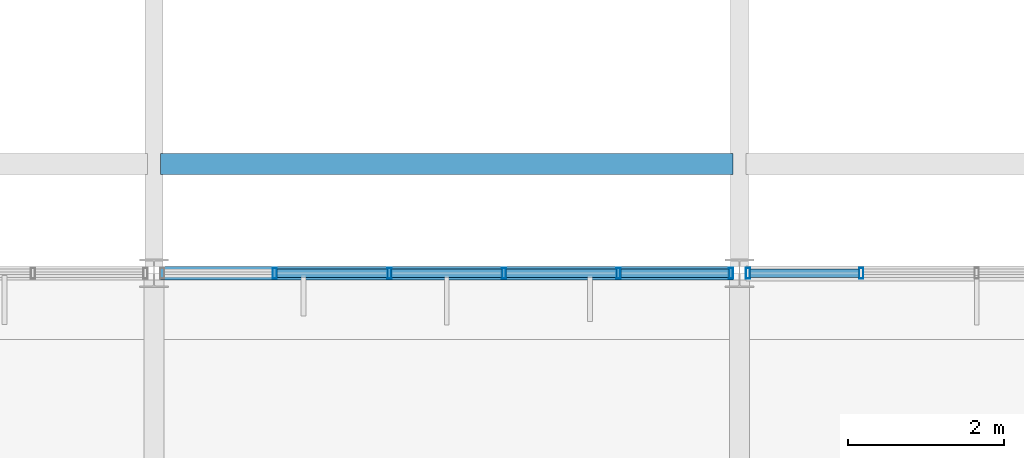
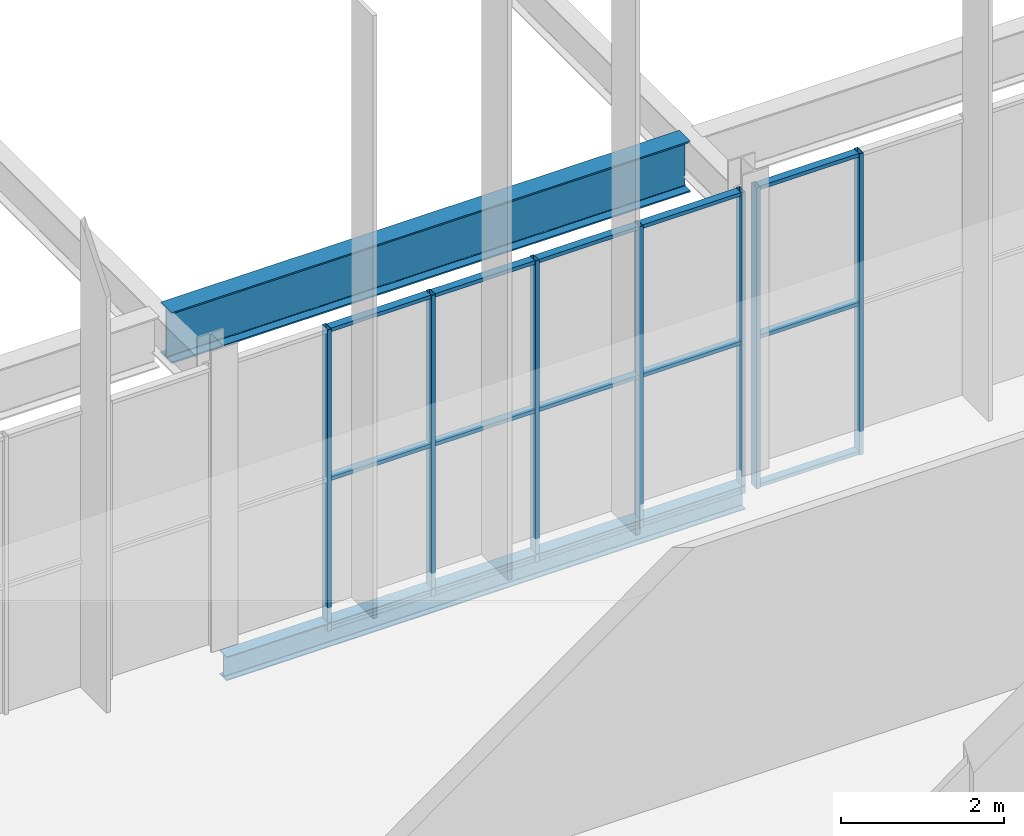
# One storey, part 182 of 324: 22 members, 2 beams, 2 elements without a shape of their own.
"""IFC4 building model written with IfcOpenShell, lengths in metres."""

import ifcopenshell
import ifcopenshell.guid

model = None  # the IFC model being written
_history = None  # IfcOwnerHistory: only IFC2X3 demands one
_inside = {}  # id of a spatial element -> (the spatial element, [elements in it])
_under = {}  # id of a project, library or spatial element -> (it, [spatial elements below it])
_declared = {}  # id of a project -> (the project, [libraries it declares])
_typed = {}  # id of a type object -> (the type object, [elements of that type])
_made_of = {}  # id of a material, layer set ... -> (it, [elements and type objects made of it])


def new_model(schema):
    """Start an empty IFC model of exactly this schema.

    Asked for "IFC4X3", IfcOpenShell would pick the latest addendum, in which some entities
    have other attributes; the version numbers below select the first issue.
    IFC2X3 requires an IfcOwnerHistory on every rooted entity: one is made here for all.
    """
    global model, _history
    if schema == "IFC4X3":
        model = ifcopenshell.file(schema_version=(4, 3, 0, 0))
    else:
        model = ifcopenshell.file(schema=schema)
    _inside.clear()
    _under.clear()
    _declared.clear()
    _typed.clear()
    _made_of.clear()
    _history = None
    if model.schema == "IFC2X3":
        org = make("IfcOrganization", Name="unknown")
        user = make(
            "IfcPersonAndOrganization",
            ThePerson=make("IfcPerson", FamilyName="unknown"),
            TheOrganization=org,
        )
        app = make(
            "IfcApplication",
            ApplicationDeveloper=org,
            Version="unknown",
            ApplicationFullName="unknown",
            ApplicationIdentifier="unknown",
        )
        _history = make(
            "IfcOwnerHistory",
            OwningUser=user,
            OwningApplication=app,
            ChangeAction="ADDED",
            CreationDate=0,
        )
    return model


def make(cls, **values):
    """One entity of the class cls with the attributes given. An attribute that is None is left unset."""
    return model.create_entity(
        cls, **{name: value for name, value in values.items() if value is not None}
    )


def rooted(cls, **values):
    """An entity with a GlobalId (a new one), such as an element, a storey or a relation."""
    return make(cls, GlobalId=ifcopenshell.guid.new(), OwnerHistory=_history, **values)


def si_unit(unit_type, name, prefix=None):
    """IfcSIUnit, for example si_unit("LENGTHUNIT", "METRE", prefix="MILLI")."""
    return make("IfcSIUnit", UnitType=unit_type, Prefix=prefix, Name=name)


def assignment(units):
    """IfcUnitAssignment: the units of a project."""
    return None if units is None else make("IfcUnitAssignment", Units=units)


def point(xyz):
    """IfcCartesianPoint."""
    return None if xyz is None else make("IfcCartesianPoint", Coordinates=xyz)


def direction(xyz):
    """IfcDirection."""
    return None if xyz is None else make("IfcDirection", DirectionRatios=xyz)


def frame(location, z_axis=None, x_axis=None):
    """IfcAxis2Placement3D, a coordinate frame: its origin and axes. An axis left out is left unset."""
    return make(
        "IfcAxis2Placement3D",
        Location=point(location),
        Axis=direction(z_axis),
        RefDirection=direction(x_axis),
    )


def frame_2d(location, x_axis=None):
    """IfcAxis2Placement2D, a coordinate frame in the plane: its origin and x axis."""
    return make(
        "IfcAxis2Placement2D", Location=point(location), RefDirection=direction(x_axis)
    )


def origin():
    """The frame at (0, 0, 0) with its axes left unset."""
    return frame((0.0, 0.0, 0.0))


def origin_2d():
    """The frame at (0, 0) in the plane with its x axis left unset."""
    return frame_2d((0.0, 0.0))


def place(relative_to, where):
    """IfcLocalPlacement: puts the frame where relative to a parent placement (None: the world)."""
    return make(
        "IfcLocalPlacement", PlacementRelTo=relative_to, RelativePlacement=where
    )


def context(
    kind, dimensions, precision=None, world=None, true_north=None, identifier=None
):
    """IfcGeometricRepresentationContext, for example the 3D "Model" context."""
    return make(
        "IfcGeometricRepresentationContext",
        ContextIdentifier=identifier,
        ContextType=kind,
        CoordinateSpaceDimension=dimensions,
        Precision=precision,
        WorldCoordinateSystem=world,
        TrueNorth=true_north,
    )


def subcontext(parent, identifier, kind, view, scale=None):
    """IfcGeometricRepresentationSubContext, for example "Body" below "Model"."""
    return make(
        "IfcGeometricRepresentationSubContext",
        ContextIdentifier=identifier,
        ContextType=kind,
        ParentContext=parent,
        TargetScale=scale,
        TargetView=view,
    )


def project(units=None, contexts=None):
    """IfcProject with its units and contexts."""
    return rooted(
        "IfcProject",
        Name="project",
        RepresentationContexts=contexts,
        UnitsInContext=assignment(units),
    )


def spatial(cls, under=None, at=None, **own):
    """A site, building, storey or space (cls), placed at a placement, below another one or the project."""
    s = rooted(cls, ObjectPlacement=at, **own)
    if under is not None:
        _under.setdefault(under.id(), (under, []))[1].append(s)
    return s


def profile(cls, at=None, kind="AREA", **sizes):
    """A parametric profile (cls). Its sizes go by their IFC names, for example OverallWidth=200.0."""
    return make(cls, ProfileType=kind, Position=at, **sizes)


def hollow_rectangle(**sizes):
    """IfcRectangleHollowProfileDef."""
    return profile("IfcRectangleHollowProfileDef", **sizes)


def i_section(**sizes):
    """IfcIShapeProfileDef."""
    return profile("IfcIShapeProfileDef", **sizes)


def extrude(swept, where, along, depth):
    """IfcExtrudedAreaSolid: the profile swept, set in the frame where, extruded along a direction by depth."""
    return make(
        "IfcExtrudedAreaSolid",
        SweptArea=swept,
        Position=where,
        ExtrudedDirection=direction(along),
        Depth=depth,
    )


def shape(context_of_items, identifier, shape_type, items):
    """IfcShapeRepresentation: the items that make up one representation, for example the "Body"."""
    return make(
        "IfcShapeRepresentation",
        ContextOfItems=context_of_items,
        RepresentationIdentifier=identifier,
        RepresentationType=shape_type,
        Items=items,
    )


def material(Name=None, Category=None):
    """IfcMaterial."""
    return make("IfcMaterial", Name=Name, Category=Category)


def layer(
    of_material, thickness, ventilated=None, Name=None, Category=None, Priority=None
):
    """IfcMaterialLayer: one layer of a wall or slab, of a material (None: an air gap)."""
    return make(
        "IfcMaterialLayer",
        Material=of_material,
        LayerThickness=thickness,
        IsVentilated=ventilated,
        Name=Name,
        Category=Category,
        Priority=Priority,
    )


def layer_set(layers, Name=None):
    """IfcMaterialLayerSet."""
    return make("IfcMaterialLayerSet", MaterialLayers=layers, LayerSetName=Name)


def material_profile(
    of_material, cross_section, Name=None, Category=None, Priority=None
):
    """IfcMaterialProfile: a cross section and its material."""
    return make(
        "IfcMaterialProfile",
        Name=Name,
        Material=of_material,
        Profile=cross_section,
        Priority=Priority,
        Category=Category,
    )


def profile_set(profiles, Name=None, composite=None):
    """IfcMaterialProfileSet."""
    return make(
        "IfcMaterialProfileSet",
        Name=Name,
        MaterialProfiles=profiles,
        CompositeProfile=composite,
    )


def made_of(thing, what):
    """Note that an element or type object is made of a material, layer set ...; save() writes the relation."""
    if what is not None:
        _made_of.setdefault(what.id(), (what, []))[1].append(thing)
    return thing


def type_object(cls, material=None, **own):
    """A type object (cls), such as IfcWallType, which elements share."""
    return made_of(rooted(cls, **own), material)


def element(
    cls,
    number,
    at=None,
    inside=None,
    cuts=None,
    type_object=None,
    material=None,
    context=None,
    identifier="Body",
    shape_type=None,
    held_by="IfcProductDefinitionShape",
    body=None,
    shapes=None,
    **own,
):
    """One element of the class cls, such as IfcWall. Its Tag is "e" and its number.

    at: its placement. inside: the storey or other place that contains it. cuts: it is an
    opening in that element (IfcRelVoidsElement). A single representation is given by context,
    identifier, shape_type and body (its items); several are given by shapes. held_by: the class
    of the entity that holds the representations. save() writes the other relations.
    """
    e = rooted(cls, Tag="e%d" % number, ObjectPlacement=at, **own)
    if body is not None:
        shapes = [shape(context, identifier, shape_type, body)]
    if shapes is not None:
        e.Representation = make(held_by, Representations=shapes)
    if inside is not None:
        _inside.setdefault(inside.id(), (inside, []))[1].append(e)
    if cuts is not None:
        rooted(
            "IfcRelVoidsElement", RelatingBuildingElement=cuts, RelatedOpeningElement=e
        )
    if type_object is not None:
        _typed.setdefault(type_object.id(), (type_object, []))[1].append(e)
    return made_of(e, material)


def aggregate(whole, parts):
    """IfcRelAggregates: a whole, such as a stair, and the parts it consists of."""
    return rooted("IfcRelAggregates", RelatingObject=whole, RelatedObjects=parts)


def save(model, path):
    """Write the relations noted so far, then the file.

    IfcRelAggregates (storeys below a building ...), IfcRelContainedInSpatialStructure (elements
    in a storey), IfcRelDefinesByType, IfcRelAssociatesMaterial and IfcRelDeclares: one each for
    every whole, place, type object, material and project.
    """
    for whole, parts in _under.values():
        aggregate(whole, parts)
    for where, things in _inside.values():
        rooted(
            "IfcRelContainedInSpatialStructure",
            RelatedElements=things,
            RelatingStructure=where,
        )
    for kind, things in _typed.values():
        rooted("IfcRelDefinesByType", RelatedObjects=things, RelatingType=kind)
    for what, things in _made_of.values():
        rooted("IfcRelAssociatesMaterial", RelatedObjects=things, RelatingMaterial=what)
    for by, libraries in _declared.values():
        rooted("IfcRelDeclares", RelatingContext=by, RelatedDefinitions=libraries)
    model.write(path)


model = new_model("IFC4")

# Units and contexts
model_context = context("Model", 3, precision=1e-05, world=origin(), true_north=direction((0.0, 1.0)))
body_context = subcontext(model_context, "Body", "Model", "MODEL_VIEW")
ifc_project = project(units=[si_unit("LENGTHUNIT", "METRE"), si_unit("AREAUNIT", "SQUARE_METRE"), si_unit("VOLUMEUNIT", "CUBIC_METRE"), si_unit("PLANEANGLEUNIT", "RADIAN"), si_unit("MASSUNIT", "GRAM", prefix="KILO")], contexts=[model_context])

# Site, building, storey
site_placement = place(None, origin())
site = spatial("IfcSite", under=ifc_project, at=site_placement, CompositionType="ELEMENT")
building_placement = place(site_placement, origin())
building = spatial("IfcBuilding", under=site, at=building_placement, Name="Solvenia Promenade Tram Depot", CompositionType="ELEMENT")
storey_placement = place(building_placement, frame((0.0, 0.0, 4.5)))
storey = spatial("IfcBuildingStorey", under=building, at=storey_placement, Name="L01", CompositionType="ELEMENT", Elevation=4.5)

# Curtain wall, members
ifc_material_1 = material(Name="Anodized aluminium AW-6063 T6", Category="aluminium")
ifc_layer = layer(ifc_material_1, 0.080078125, Name="Anodized aluminium AW-6063 T6", Category="aluminium")
ifc_layer_set = layer_set([ifc_layer], Name="Anodized aluminium AW-6063 T6")
curtain_wall_type = type_object("IfcCurtainWallType", Name="CW-Clerest-1500", PredefinedType="NOTDEFINED", material=ifc_layer_set)
curtain_wall_1_placement = place(storey_placement, origin())
curtain_wall_1 = element("IfcCurtainWall", 1, at=curtain_wall_1_placement, inside=storey, type_object=curtain_wall_type, Name="Curtain Wall CW-V2S-L1-06", PredefinedType="NOTDEFINED")
ifc_material_profile_1 = material_profile(ifc_material_1, hollow_rectangle(XDim=0.139892578125, YDim=0.054931640625, WallThickness=0.00390625, at=origin_2d()), Name="ALU-M4", Category="aluminium")
ifc_profile_set_1 = profile_set([ifc_material_profile_1], Name="Anodized aluminium AW-6063 T6")
member_type_1 = type_object("IfcMemberType", Name="CWM-Mullion-4", PredefinedType="MULLION", material=ifc_profile_set_1)
member_1_placement = place(storey_placement, frame((144.048095703125, 24.0, -0.35009765625), z_axis=(0.0, 0.0, 1.0), x_axis=(0.0, 1.0, 0.0)))
member_1 = element("IfcMember", 2, at=member_1_placement, type_object=member_type_1, Name="CW-4 mullion 2", PredefinedType="MULLION", context=body_context, shape_type="SweptSolid", body=[
    extrude(hollow_rectangle(XDim=0.139892578125, YDim=0.054931640625, WallThickness=0.00390625, at=origin_2d()), origin(), (0.0, 0.0, 1.0), 4.5),
])
member_2_placement = place(storey_placement, frame((145.51611328125, 24.0, -0.35009765625), z_axis=(0.0, 0.0, 1.0), x_axis=(0.0, 1.0, 0.0)))
member_2 = element("IfcMember", 3, at=member_2_placement, type_object=member_type_1, Name="CW-4 mullion 3", PredefinedType="MULLION", context=body_context, shape_type="SweptSolid", body=[
    extrude(hollow_rectangle(XDim=0.139892578125, YDim=0.054931640625, WallThickness=0.00390625, at=origin_2d()), origin(), (0.0, 0.0, 1.0), 4.5),
])
member_3_placement = place(storey_placement, frame((146.98388671875, 24.0, -0.35009765625), z_axis=(0.0, 0.0, 1.0), x_axis=(0.0, 1.0, 0.0)))
member_3 = element("IfcMember", 4, at=member_3_placement, type_object=member_type_1, Name="CW-4 mullion 4", PredefinedType="MULLION", context=body_context, shape_type="SweptSolid", body=[
    extrude(hollow_rectangle(XDim=0.139892578125, YDim=0.054931640625, WallThickness=0.00390625, at=origin_2d()), origin(), (0.0, 0.0, 1.0), 4.5),
])
member_4_placement = place(storey_placement, frame((148.451904296875, 24.0, -0.35009765625), z_axis=(0.0, 0.0, 1.0), x_axis=(0.0, 1.0, 0.0)))
member_4 = element("IfcMember", 5, at=member_4_placement, type_object=member_type_1, Name="CW-4 mullion 5", PredefinedType="MULLION", context=body_context, shape_type="SweptSolid", body=[
    extrude(hollow_rectangle(XDim=0.139892578125, YDim=0.054931640625, WallThickness=0.00390625, at=origin_2d()), origin(), (0.0, 0.0, 1.0), 4.5),
])
member_5_placement = place(storey_placement, frame((149.892578125, 24.0, -0.35009765625), z_axis=(0.0, 0.0, 1.0), x_axis=(0.0, 1.0, 0.0)))
member_5 = element("IfcMember", 6, at=member_5_placement, type_object=member_type_1, Name="CW-4 mullion 6", PredefinedType="MULLION", context=body_context, shape_type="SweptSolid", body=[
    extrude(hollow_rectangle(XDim=0.139892578125, YDim=0.054931640625, WallThickness=0.00390625, at=origin_2d()), origin(), (0.0, 0.0, 1.0), 4.5),
])

curtain_wall_2_placement = place(storey_placement, origin())
curtain_wall_2 = element("IfcCurtainWall", 7, at=curtain_wall_2_placement, inside=storey, type_object=curtain_wall_type, Name="Curtain Wall CW-V2S-L1-07", PredefinedType="NOTDEFINED")
member_6_placement = place(storey_placement, frame((150.107421875, 24.0, -0.35009765625), z_axis=(0.0, 0.0, 1.0), x_axis=(0.0, 1.0, 0.0)))
member_6 = element("IfcMember", 8, at=member_6_placement, type_object=member_type_1, Name="CW-4 mullion 1", PredefinedType="MULLION", context=body_context, shape_type="SweptSolid", body=[
    extrude(hollow_rectangle(XDim=0.139892578125, YDim=0.054931640625, WallThickness=0.00390625, at=origin_2d()), origin(), (0.0, 0.0, 1.0), 4.5),
])
member_7_placement = place(storey_placement, frame((151.56005859375, 24.0, -0.35009765625), z_axis=(0.0, 0.0, 1.0), x_axis=(0.0, 1.0, 0.0)))
member_7 = element("IfcMember", 9, at=member_7_placement, type_object=member_type_1, Name="CW-4 mullion 2", PredefinedType="MULLION", context=body_context, shape_type="SweptSolid", body=[
    extrude(hollow_rectangle(XDim=0.139892578125, YDim=0.054931640625, WallThickness=0.00390625, at=origin_2d()), origin(), (0.0, 0.0, 1.0), 4.5),
])

# Member
ifc_material_profile_2 = material_profile(ifc_material_1, hollow_rectangle(XDim=0.110107421875, YDim=0.054931640625, WallThickness=0.00390625, at=origin_2d()), Name="ALU-T4", Category="aluminium")
ifc_profile_set_2 = profile_set([ifc_material_profile_2], Name="Anodized aluminium AW-6063 T6")
member_type_2 = type_object("IfcMemberType", Name="CWT-Transom-4", PredefinedType="USERDEFINED", material=ifc_profile_set_2)
member_8_placement = place(storey_placement, frame((144.075439453125, 24.0, -0.322509765625), z_axis=(1.0, 0.0, 0.0), x_axis=(0.0, 1.0, 0.0)))
member_8 = element("IfcMember", 10, at=member_8_placement, type_object=member_type_2, Name="CW-4 transom 2.1", ObjectType="TRANSOM", PredefinedType="USERDEFINED", context=body_context, shape_type="SweptSolid", body=[
    extrude(hollow_rectangle(XDim=0.110107421875, YDim=0.054931640625, WallThickness=0.00390625, at=origin_2d()), origin(), (0.0, 0.0, 1.0), 1.4130859375),
])

member_9_placement = place(storey_placement, frame((144.075439453125, 24.0, 1.89990234375), z_axis=(1.0, 0.0, 0.0), x_axis=(0.0, 1.0, 0.0)))
member_9 = element("IfcMember", 11, at=member_9_placement, type_object=member_type_2, Name="CW-4 transom 2.2", ObjectType="TRANSOM", PredefinedType="USERDEFINED", context=body_context, shape_type="SweptSolid", body=[
    extrude(hollow_rectangle(XDim=0.110107421875, YDim=0.054931640625, WallThickness=0.00390625, at=origin_2d()), origin(), (0.0, 0.0, 1.0), 1.4130859375),
])

member_10_placement = place(storey_placement, frame((144.075439453125, 24.0, 4.12255859375), z_axis=(1.0, 0.0, 0.0), x_axis=(0.0, 1.0, 0.0)))
member_10 = element("IfcMember", 12, at=member_10_placement, type_object=member_type_2, Name="CW-4 transom 2.3", ObjectType="TRANSOM", PredefinedType="USERDEFINED", context=body_context, shape_type="SweptSolid", body=[
    extrude(hollow_rectangle(XDim=0.110107421875, YDim=0.054931640625, WallThickness=0.00390625, at=origin_2d()), origin(), (0.0, 0.0, 1.0), 1.4130859375),
])

member_11_placement = place(storey_placement, frame((145.54345703125, 24.0, -0.322509765625), z_axis=(1.0, 0.0, 0.0), x_axis=(0.0, 1.0, 0.0)))
member_11 = element("IfcMember", 13, at=member_11_placement, type_object=member_type_2, Name="CW-4 transom 3.1", ObjectType="TRANSOM", PredefinedType="USERDEFINED", context=body_context, shape_type="SweptSolid", body=[
    extrude(hollow_rectangle(XDim=0.110107421875, YDim=0.054931640625, WallThickness=0.00390625, at=origin_2d()), origin(), (0.0, 0.0, 1.0), 1.4130859375),
])

member_12_placement = place(storey_placement, frame((145.54345703125, 24.0, 1.89990234375), z_axis=(1.0, 0.0, 0.0), x_axis=(0.0, 1.0, 0.0)))
member_12 = element("IfcMember", 14, at=member_12_placement, type_object=member_type_2, Name="CW-4 transom 3.2", ObjectType="TRANSOM", PredefinedType="USERDEFINED", context=body_context, shape_type="SweptSolid", body=[
    extrude(hollow_rectangle(XDim=0.110107421875, YDim=0.054931640625, WallThickness=0.00390625, at=origin_2d()), origin(), (0.0, 0.0, 1.0), 1.4130859375),
])

member_13_placement = place(storey_placement, frame((145.54345703125, 24.0, 4.12255859375), z_axis=(1.0, 0.0, 0.0), x_axis=(0.0, 1.0, 0.0)))
member_13 = element("IfcMember", 15, at=member_13_placement, type_object=member_type_2, Name="CW-4 transom 3.3", ObjectType="TRANSOM", PredefinedType="USERDEFINED", context=body_context, shape_type="SweptSolid", body=[
    extrude(hollow_rectangle(XDim=0.110107421875, YDim=0.054931640625, WallThickness=0.00390625, at=origin_2d()), origin(), (0.0, 0.0, 1.0), 1.4130859375),
])

member_14_placement = place(storey_placement, frame((147.011474609375, 24.0, -0.322509765625), z_axis=(1.0, 0.0, 0.0), x_axis=(0.0, 1.0, 0.0)))
member_14 = element("IfcMember", 16, at=member_14_placement, type_object=member_type_2, Name="CW-4 transom 4.1", ObjectType="TRANSOM", PredefinedType="USERDEFINED", context=body_context, shape_type="SweptSolid", body=[
    extrude(hollow_rectangle(XDim=0.110107421875, YDim=0.054931640625, WallThickness=0.00390625, at=origin_2d()), origin(), (0.0, 0.0, 1.0), 1.4130859375),
])

member_15_placement = place(storey_placement, frame((147.011474609375, 24.0, 1.89990234375), z_axis=(1.0, 0.0, 0.0), x_axis=(0.0, 1.0, 0.0)))
member_15 = element("IfcMember", 17, at=member_15_placement, type_object=member_type_2, Name="CW-4 transom 4.2", ObjectType="TRANSOM", PredefinedType="USERDEFINED", context=body_context, shape_type="SweptSolid", body=[
    extrude(hollow_rectangle(XDim=0.110107421875, YDim=0.054931640625, WallThickness=0.00390625, at=origin_2d()), origin(), (0.0, 0.0, 1.0), 1.4130859375),
])

member_16_placement = place(storey_placement, frame((147.011474609375, 24.0, 4.12255859375), z_axis=(1.0, 0.0, 0.0), x_axis=(0.0, 1.0, 0.0)))
member_16 = element("IfcMember", 18, at=member_16_placement, type_object=member_type_2, Name="CW-4 transom 4.3", ObjectType="TRANSOM", PredefinedType="USERDEFINED", context=body_context, shape_type="SweptSolid", body=[
    extrude(hollow_rectangle(XDim=0.110107421875, YDim=0.054931640625, WallThickness=0.00390625, at=origin_2d()), origin(), (0.0, 0.0, 1.0), 1.4130859375),
])

member_17_placement = place(storey_placement, frame((148.4794921875, 24.0, -0.322509765625), z_axis=(1.0, 0.0, 0.0), x_axis=(0.0, 1.0, 0.0)))
member_17 = element("IfcMember", 19, at=member_17_placement, type_object=member_type_2, Name="CW-4 transom 5.1", ObjectType="TRANSOM", PredefinedType="USERDEFINED", context=body_context, shape_type="SweptSolid", body=[
    extrude(hollow_rectangle(XDim=0.110107421875, YDim=0.054931640625, WallThickness=0.00390625, at=origin_2d()), origin(), (0.0, 0.0, 1.0), 1.385498046875),
])

member_18_placement = place(storey_placement, frame((148.4794921875, 24.0, 1.89990234375), z_axis=(1.0, 0.0, 0.0), x_axis=(0.0, 1.0, 0.0)))
member_18 = element("IfcMember", 20, at=member_18_placement, type_object=member_type_2, Name="CW-4 transom 5.2", ObjectType="TRANSOM", PredefinedType="USERDEFINED", context=body_context, shape_type="SweptSolid", body=[
    extrude(hollow_rectangle(XDim=0.110107421875, YDim=0.054931640625, WallThickness=0.00390625, at=origin_2d()), origin(), (0.0, 0.0, 1.0), 1.385498046875),
])

member_19_placement = place(storey_placement, frame((148.4794921875, 24.0, 4.12255859375), z_axis=(1.0, 0.0, 0.0), x_axis=(0.0, 1.0, 0.0)))
member_19 = element("IfcMember", 21, at=member_19_placement, type_object=member_type_2, Name="CW-4 transom 5.3", ObjectType="TRANSOM", PredefinedType="USERDEFINED", context=body_context, shape_type="SweptSolid", body=[
    extrude(hollow_rectangle(XDim=0.110107421875, YDim=0.054931640625, WallThickness=0.00390625, at=origin_2d()), origin(), (0.0, 0.0, 1.0), 1.385498046875),
])

aggregate(curtain_wall_1, [member_1, member_2, member_3, member_4, member_5, member_8, member_9, member_10, member_11, member_12, member_13, member_14, member_15, member_16, member_17, member_18, member_19])

member_20_placement = place(storey_placement, frame((150.135009765625, 24.0, -0.322509765625), z_axis=(1.0, 0.0, 0.0), x_axis=(0.0, 1.0, 0.0)))
member_20 = element("IfcMember", 22, at=member_20_placement, type_object=member_type_2, Name="CW-4 transom 1.1", ObjectType="TRANSOM", PredefinedType="USERDEFINED", context=body_context, shape_type="SweptSolid", body=[
    extrude(hollow_rectangle(XDim=0.110107421875, YDim=0.054931640625, WallThickness=0.00390625, at=origin_2d()), origin(), (0.0, 0.0, 1.0), 1.3974609375),
])

member_21_placement = place(storey_placement, frame((150.135009765625, 24.0, 1.89990234375), z_axis=(1.0, 0.0, 0.0), x_axis=(0.0, 1.0, 0.0)))
member_21 = element("IfcMember", 23, at=member_21_placement, type_object=member_type_2, Name="CW-4 transom 1.2", ObjectType="TRANSOM", PredefinedType="USERDEFINED", context=body_context, shape_type="SweptSolid", body=[
    extrude(hollow_rectangle(XDim=0.110107421875, YDim=0.054931640625, WallThickness=0.00390625, at=origin_2d()), origin(), (0.0, 0.0, 1.0), 1.3974609375),
])

member_22_placement = place(storey_placement, frame((150.135009765625, 24.0, 4.12255859375), z_axis=(1.0, 0.0, 0.0), x_axis=(0.0, 1.0, 0.0)))
member_22 = element("IfcMember", 24, at=member_22_placement, type_object=member_type_2, Name="CW-4 transom 1.3", ObjectType="TRANSOM", PredefinedType="USERDEFINED", context=body_context, shape_type="SweptSolid", body=[
    extrude(hollow_rectangle(XDim=0.110107421875, YDim=0.054931640625, WallThickness=0.00390625, at=origin_2d()), origin(), (0.0, 0.0, 1.0), 1.3974609375),
])

aggregate(curtain_wall_2, [member_6, member_7, member_20, member_21, member_22])

# Beams
ifc_material_2 = material(Name="Structural steel ASTM A992 Gr. 50", Category="steel")
ifc_material_profile_3 = material_profile(ifc_material_2, i_section(OverallWidth=0.26708984375, OverallDepth=0.761962890625, WebThickness=0.014404296875, FlangeThickness=0.021484375, FilletRadius=0.01806640625, at=origin_2d()), Name="W760x173", Category="steel")
ifc_profile_set_3 = profile_set([ifc_material_profile_3], Name="Structural steel ASTM A992 Gr. 50")
beam_type_1 = type_object("IfcBeamType", Name="Gird-W760x173", PredefinedType="BEAM", material=ifc_profile_set_3)
beam_1_placement = place(storey_placement, frame((142.5849609375, 25.39990234375, 3.718994140625), z_axis=(1.0, 0.0, 0.0), x_axis=(0.0, 1.0, 0.0)))
element("IfcBeam", 25, at=beam_1_placement, inside=storey, type_object=beam_type_1, Name="Bridge Crane Runway Girder BM-L01-0921", PredefinedType="BEAM", context=body_context, shape_type="SweptSolid", body=[
    extrude(i_section(OverallWidth=0.26708984375, OverallDepth=0.761962890625, WebThickness=0.014404296875, FlangeThickness=0.021484375, FilletRadius=0.01806640625, at=origin_2d()), origin(), (0.0, 0.0, 1.0), 7.330078125),
])
ifc_material_profile_4 = material_profile(ifc_material_2, i_section(OverallWidth=0.172119140625, OverallDepth=0.35791015625, WebThickness=0.0078125, FlangeThickness=0.01318359375, FilletRadius=0.010986328125, at=origin_2d()), Name="W360x57", Category="steel")
ifc_profile_set_4 = profile_set([ifc_material_profile_4], Name="Structural steel ASTM A992 Gr. 50")
beam_type_2 = type_object("IfcBeamType", Name="Spandrel-W360x57", PredefinedType="SPANDREL", material=ifc_profile_set_4)
beam_2_placement = place(storey_placement, frame((142.5849609375, 24.0, -0.39892578125), z_axis=(1.0, 0.0, 0.0), x_axis=(0.0, 1.0, 0.0)))
element("IfcBeam", 26, at=beam_2_placement, inside=storey, type_object=beam_type_2, Name="Perimeter Spandrel BM-L01-0420", PredefinedType="SPANDREL", context=body_context, shape_type="SweptSolid", body=[
    extrude(i_section(OverallWidth=0.172119140625, OverallDepth=0.35791015625, WebThickness=0.0078125, FlangeThickness=0.01318359375, FilletRadius=0.010986328125, at=origin_2d()), origin(), (0.0, 0.0, 1.0), 7.330078125),
])

save(model, "model.ifc")
